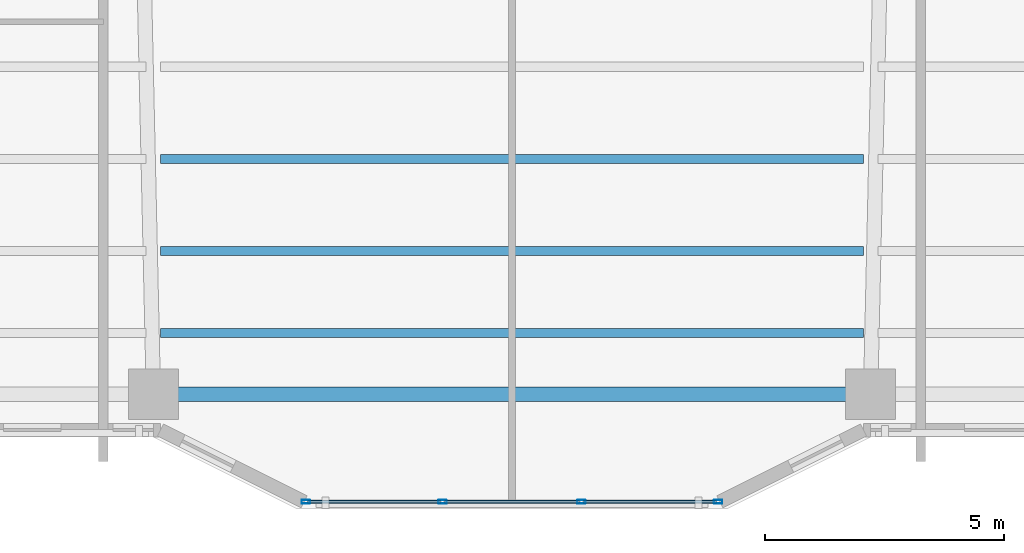
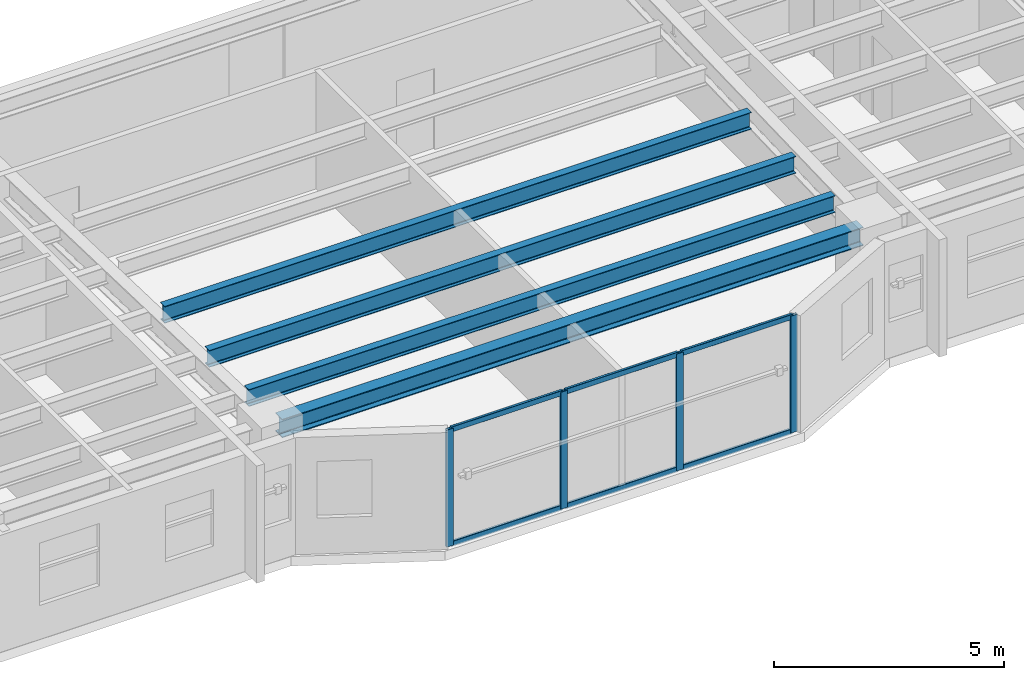
# One storey, part 2 of 18: 10 members, 4 beams, 1 element without a shape of its own.
"""IFC4 building model written with IfcOpenShell, lengths in metres."""

from ifc_helpers import new_model, si_unit, direction, frame, origin, origin_2d, place, context, subcontext, project, spatial, hollow_rectangle, i_section, extrude, material, layer, layer_set, material_profile, profile_set, type_object, element, aggregate, save


model = new_model("IFC4")

# Units and contexts
model_context = context("Model", 3, precision=1e-05, world=origin(), true_north=direction((0.0, 1.0)))
body_context = subcontext(model_context, "Body", "Model", "MODEL_VIEW")
ifc_project = project(units=[si_unit("LENGTHUNIT", "METRE"), si_unit("AREAUNIT", "SQUARE_METRE"), si_unit("VOLUMEUNIT", "CUBIC_METRE"), si_unit("PLANEANGLEUNIT", "RADIAN"), si_unit("MASSUNIT", "GRAM", prefix="KILO")], contexts=[model_context])

# Site, building, storey
site_placement = place(None, origin())
site = spatial("IfcSite", under=ifc_project, at=site_placement, CompositionType="ELEMENT")
building_placement = place(site_placement, origin())
building = spatial("IfcBuilding", under=site, at=building_placement, Name="Tarnavaz Court Tower", CompositionType="ELEMENT")
storey_placement = place(building_placement, frame((0.0, 0.0, 98.39990234375)))
storey = spatial("IfcBuildingStorey", under=building, at=storey_placement, Name="L26", CompositionType="ELEMENT", Elevation=98.39990234375)

# Beams
ifc_material_1 = material(Name="Steel S355", Category="steel")
ifc_material_profile_1 = material_profile(ifc_material_1, i_section(OverallWidth=0.18994140625, OverallDepth=0.449951171875, WebThickness=0.009521484375, FlangeThickness=0.0146484375, FilletRadius=0.02099609375, at=origin_2d()), Name="IPE 450")
ifc_profile_set_1 = profile_set([ifc_material_profile_1], Name="Steel S355")
beam_type_1 = type_object("IfcBeamType", Name="BM-J-IPE450", PredefinedType="JOIST", material=ifc_profile_set_1)
for number, where, z_axis, x_axis, name in (
    (1, (-7.35009765625, -16.3779296875, 2.875), (1.0, 0.0, 0.0), (0.0, 1.0, 0.0), "L26 Beam JS3-2"),
    (2, (-7.35009765625, -18.303955078125, 2.875), (1.0, 0.0, 0.0), (0.0, 1.0, 0.0), "L26 Beam JS4-2"),
    (3, (-7.35009765625, -20.01611328125, 2.875), (1.0, 0.0, 0.0), (0.0, 1.0, 0.0), "L26 Beam JS5-2"),
):
    element("IfcBeam", number, at=place(storey_placement, frame(where, z_axis=z_axis, x_axis=x_axis)), inside=storey, type_object=beam_type_1, Name=name, PredefinedType="JOIST", context=body_context, shape_type="SweptSolid", body=[
        extrude(i_section(OverallWidth=0.18994140625, OverallDepth=0.449951171875, WebThickness=0.009521484375, FlangeThickness=0.0146484375, FilletRadius=0.02099609375, at=origin_2d()), origin(), (0.0, 0.0, 1.0), 14.7001953125),
    ])
ifc_material_profile_2 = material_profile(ifc_material_1, i_section(OverallWidth=0.300048828125, OverallDepth=0.489990234375, WebThickness=0.011962890625, FlangeThickness=0.02294921875, FilletRadius=0.027099609375, at=origin_2d()), Name="HEA 500")
ifc_profile_set_2 = profile_set([ifc_material_profile_2], Name="Steel S355")
beam_type_2 = type_object("IfcBeamType", Name="BM-SP-HEA500", PredefinedType="SPANDREL", material=ifc_profile_set_2)
beam_placement = place(storey_placement, frame((-7.280029296875, -21.300048828125, 2.85498046875), z_axis=(1.0, 0.0, 0.0), x_axis=(0.0, 1.0, 0.0)))
element("IfcBeam", 4, at=beam_placement, inside=storey, type_object=beam_type_2, Name="L26 Beam PR-PS-2-PS-3", PredefinedType="SPANDREL", context=body_context, shape_type="SweptSolid", body=[
    extrude(i_section(OverallWidth=0.300048828125, OverallDepth=0.489990234375, WebThickness=0.011962890625, FlangeThickness=0.02294921875, FilletRadius=0.027099609375, at=origin_2d()), origin(), (0.0, 0.0, 1.0), 14.56005859375),
])

# Curtain wall, members
ifc_material_2 = material(Name="Anodised Aluminium 6063-T6 and Solar Low-E Glazing", Category="aluminium")
ifc_layer = layer(ifc_material_2, 0.179931640625)
ifc_layer_set = layer_set([ifc_layer], Name="Anodised Aluminium 6063-T6 and Solar Low-E Glazing")
curtain_wall_type = type_object("IfcCurtainWallType", Name="CW-SYS-02", PredefinedType="NOTDEFINED", material=ifc_layer_set)
curtain_wall_placement = place(storey_placement, origin())
curtain_wall = element("IfcCurtainWall", 5, at=curtain_wall_placement, inside=storey, type_object=curtain_wall_type, Name="L26 Iwan Prow Curtain Wall 17", PredefinedType="NOTDEFINED")
ifc_material_3 = material(Name="Anodised Aluminium 6063-T6", Category="aluminium")
ifc_material_profile_3 = material_profile(ifc_material_3, hollow_rectangle(XDim=0.074951171875, YDim=0.179931640625, WallThickness=0.0048828125, InnerFilletRadius=0.0048828125, OuterFilletRadius=0.010009765625, at=origin_2d()), Name="ALU RHS 180X75X5")
ifc_profile_set_3 = profile_set([ifc_material_profile_3], Name="Anodised Aluminium 6063-T6")
member_type_1 = type_object("IfcMemberType", Name="CW-MUL-180", PredefinedType="MULLION", material=ifc_profile_set_3)
member_1_placement = place(storey_placement, frame((4.3125, -23.550048828125, 0.0), z_axis=(0.0, 0.0, 1.0), x_axis=(0.0, -1.0, 0.0)))
member_1 = element("IfcMember", 6, at=member_1_placement, type_object=member_type_1, Name="CW mullion 1", PredefinedType="MULLION", context=body_context, shape_type="SweptSolid", body=[
    extrude(hollow_rectangle(XDim=0.074951171875, YDim=0.179931640625, WallThickness=0.0048828125, InnerFilletRadius=0.0048828125, OuterFilletRadius=0.010009765625, at=origin_2d()), origin(), (0.0, 0.0, 1.0), 3.10009765625),
])
member_2_placement = place(storey_placement, frame((1.449951171875, -23.550048828125, 0.0), z_axis=(0.0, 0.0, 1.0), x_axis=(0.0, -1.0, 0.0)))
member_2 = element("IfcMember", 7, at=member_2_placement, type_object=member_type_1, Name="CW mullion 2", PredefinedType="MULLION", context=body_context, shape_type="SweptSolid", body=[
    extrude(hollow_rectangle(XDim=0.074951171875, YDim=0.179931640625, WallThickness=0.0048828125, InnerFilletRadius=0.0048828125, OuterFilletRadius=0.010009765625, at=origin_2d()), origin(), (0.0, 0.0, 1.0), 3.10009765625),
])
member_3_placement = place(storey_placement, frame((-1.449951171875, -23.550048828125, 0.0), z_axis=(0.0, 0.0, 1.0), x_axis=(0.0, -1.0, 0.0)))
member_3 = element("IfcMember", 8, at=member_3_placement, type_object=member_type_1, Name="CW mullion 3", PredefinedType="MULLION", context=body_context, shape_type="SweptSolid", body=[
    extrude(hollow_rectangle(XDim=0.074951171875, YDim=0.179931640625, WallThickness=0.0048828125, InnerFilletRadius=0.0048828125, OuterFilletRadius=0.010009765625, at=origin_2d()), origin(), (0.0, 0.0, 1.0), 3.10009765625),
])
member_4_placement = place(storey_placement, frame((-4.3125, -23.550048828125, 0.0), z_axis=(0.0, 0.0, 1.0), x_axis=(0.0, -1.0, 0.0)))
member_4 = element("IfcMember", 9, at=member_4_placement, type_object=member_type_1, Name="CW mullion 4", PredefinedType="MULLION", context=body_context, shape_type="SweptSolid", body=[
    extrude(hollow_rectangle(XDim=0.074951171875, YDim=0.179931640625, WallThickness=0.0048828125, InnerFilletRadius=0.0048828125, OuterFilletRadius=0.010009765625, at=origin_2d()), origin(), (0.0, 0.0, 1.0), 3.10009765625),
])
ifc_material_profile_4 = material_profile(ifc_material_3, hollow_rectangle(XDim=0.06494140625, YDim=0.139892578125, WallThickness=0.00390625, InnerFilletRadius=0.00390625, OuterFilletRadius=0.008056640625, at=origin_2d()), Name="ALU RHS 140X65X4")
ifc_profile_set_4 = profile_set([ifc_material_profile_4], Name="Anodised Aluminium 6063-T6")
member_type_2 = type_object("IfcMemberType", Name="CW-TRN-140", PredefinedType="USERDEFINED", material=ifc_profile_set_4)
member_5_placement = place(storey_placement, frame((4.27490234375, -23.550048828125, 0.03271484375), z_axis=(-1.0, 0.0, 0.0), x_axis=(0.0, -1.0, 0.0)))
member_5 = element("IfcMember", 10, at=member_5_placement, type_object=member_type_2, Name="CW transom 1.1", ObjectType="TRANSOM", PredefinedType="USERDEFINED", context=body_context, shape_type="SweptSolid", body=[
    extrude(hollow_rectangle(XDim=0.06494140625, YDim=0.139892578125, WallThickness=0.00390625, InnerFilletRadius=0.00390625, OuterFilletRadius=0.008056640625, at=origin_2d()), origin(), (0.0, 0.0, 1.0), 2.787353515625),
])
member_6_placement = place(storey_placement, frame((4.27490234375, -23.550048828125, 3.067626953125), z_axis=(-1.0, 0.0, 0.0), x_axis=(0.0, -1.0, 0.0)))
member_6 = element("IfcMember", 11, at=member_6_placement, type_object=member_type_2, Name="CW transom 1.2", ObjectType="TRANSOM", PredefinedType="USERDEFINED", context=body_context, shape_type="SweptSolid", body=[
    extrude(hollow_rectangle(XDim=0.06494140625, YDim=0.139892578125, WallThickness=0.00390625, InnerFilletRadius=0.00390625, OuterFilletRadius=0.008056640625, at=origin_2d()), origin(), (0.0, 0.0, 1.0), 2.787353515625),
])
member_7_placement = place(storey_placement, frame((1.41259765625, -23.550048828125, 0.03271484375), z_axis=(-1.0, 0.0, 0.0), x_axis=(0.0, -1.0, 0.0)))
member_7 = element("IfcMember", 12, at=member_7_placement, type_object=member_type_2, Name="CW transom 2.1", ObjectType="TRANSOM", PredefinedType="USERDEFINED", context=body_context, shape_type="SweptSolid", body=[
    extrude(hollow_rectangle(XDim=0.06494140625, YDim=0.139892578125, WallThickness=0.00390625, InnerFilletRadius=0.00390625, OuterFilletRadius=0.008056640625, at=origin_2d()), origin(), (0.0, 0.0, 1.0), 2.8251953125),
])
member_8_placement = place(storey_placement, frame((1.41259765625, -23.550048828125, 3.067626953125), z_axis=(-1.0, 0.0, 0.0), x_axis=(0.0, -1.0, 0.0)))
member_8 = element("IfcMember", 13, at=member_8_placement, type_object=member_type_2, Name="CW transom 2.2", ObjectType="TRANSOM", PredefinedType="USERDEFINED", context=body_context, shape_type="SweptSolid", body=[
    extrude(hollow_rectangle(XDim=0.06494140625, YDim=0.139892578125, WallThickness=0.00390625, InnerFilletRadius=0.00390625, OuterFilletRadius=0.008056640625, at=origin_2d()), origin(), (0.0, 0.0, 1.0), 2.8251953125),
])
member_9_placement = place(storey_placement, frame((-1.487548828125, -23.550048828125, 0.03271484375), z_axis=(-1.0, 0.0, 0.0), x_axis=(0.0, -1.0, 0.0)))
member_9 = element("IfcMember", 14, at=member_9_placement, type_object=member_type_2, Name="CW transom 3.1", ObjectType="TRANSOM", PredefinedType="USERDEFINED", context=body_context, shape_type="SweptSolid", body=[
    extrude(hollow_rectangle(XDim=0.06494140625, YDim=0.139892578125, WallThickness=0.00390625, InnerFilletRadius=0.00390625, OuterFilletRadius=0.008056640625, at=origin_2d()), origin(), (0.0, 0.0, 1.0), 2.787353515625),
])
member_10_placement = place(storey_placement, frame((-1.487548828125, -23.550048828125, 3.067626953125), z_axis=(-1.0, 0.0, 0.0), x_axis=(0.0, -1.0, 0.0)))
member_10 = element("IfcMember", 15, at=member_10_placement, type_object=member_type_2, Name="CW transom 3.2", ObjectType="TRANSOM", PredefinedType="USERDEFINED", context=body_context, shape_type="SweptSolid", body=[
    extrude(hollow_rectangle(XDim=0.06494140625, YDim=0.139892578125, WallThickness=0.00390625, InnerFilletRadius=0.00390625, OuterFilletRadius=0.008056640625, at=origin_2d()), origin(), (0.0, 0.0, 1.0), 2.787353515625),
])
aggregate(curtain_wall, [member_1, member_2, member_3, member_4, member_5, member_6, member_7, member_8, member_9, member_10])

save(model, "model.ifc")
